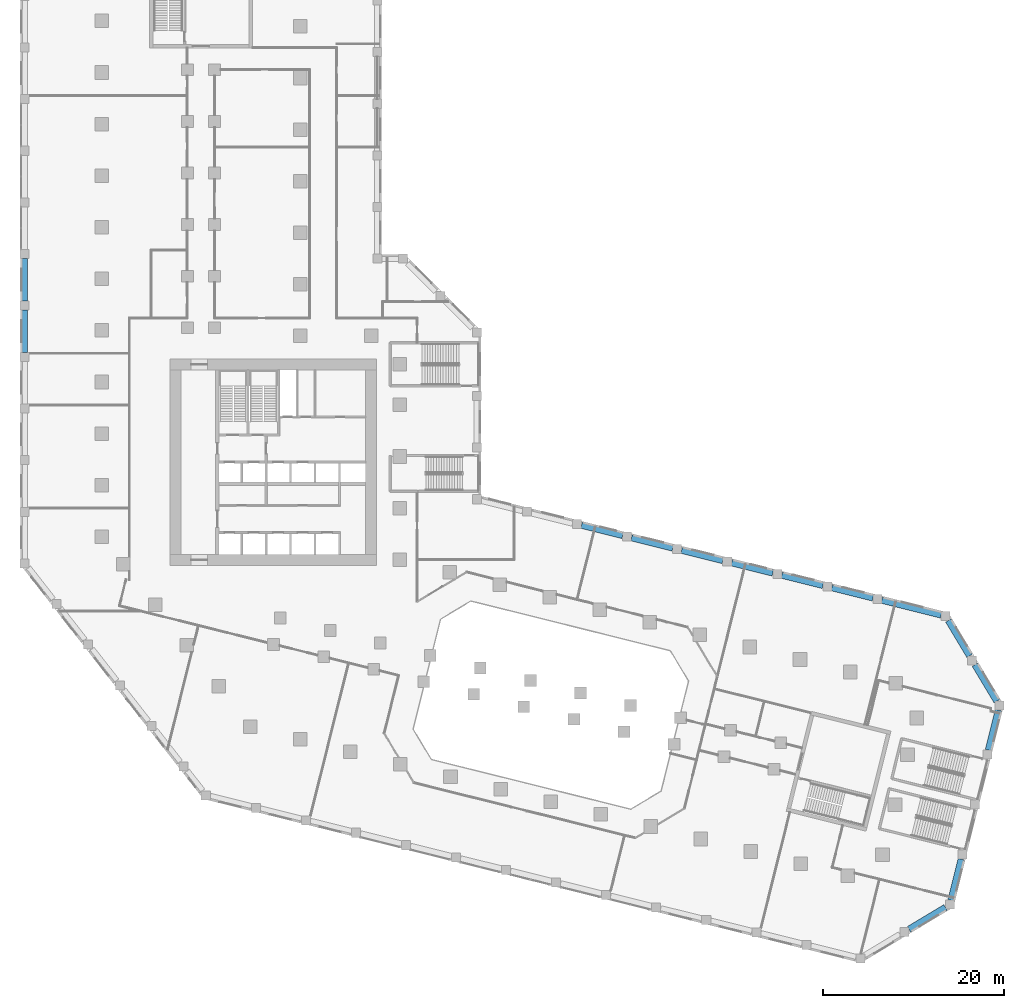
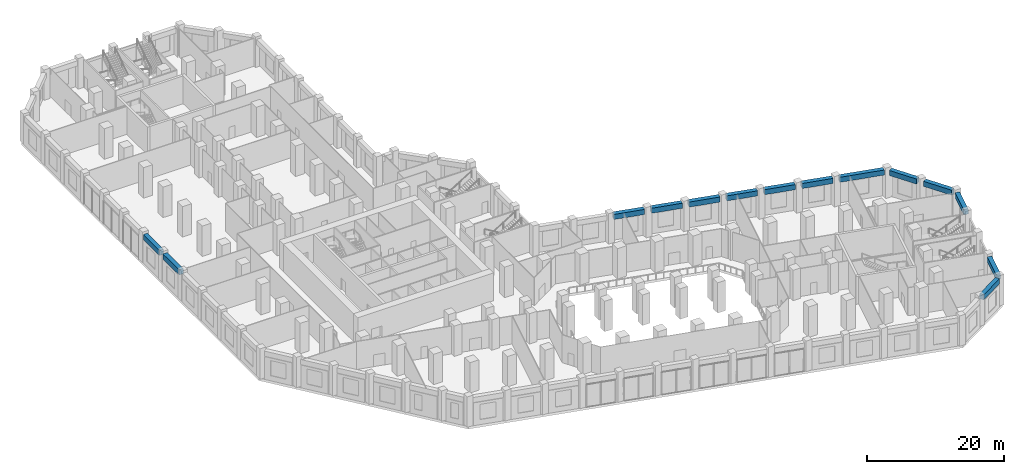
# One storey, part 5 of 23: 14 beams.
"""IFC4 building model written with IfcOpenShell, lengths in metres."""

import ifcopenshell
import ifcopenshell.guid

model = None  # the IFC model being written
_history = None  # IfcOwnerHistory: only IFC2X3 demands one
_inside = {}  # id of a spatial element -> (the spatial element, [elements in it])
_under = {}  # id of a project, library or spatial element -> (it, [spatial elements below it])
_declared = {}  # id of a project -> (the project, [libraries it declares])
_typed = {}  # id of a type object -> (the type object, [elements of that type])
_made_of = {}  # id of a material, layer set ... -> (it, [elements and type objects made of it])


def new_model(schema):
    """Start an empty IFC model of exactly this schema.

    Asked for "IFC4X3", IfcOpenShell would pick the latest addendum, in which some entities
    have other attributes; the version numbers below select the first issue.
    IFC2X3 requires an IfcOwnerHistory on every rooted entity: one is made here for all.
    """
    global model, _history
    if schema == "IFC4X3":
        model = ifcopenshell.file(schema_version=(4, 3, 0, 0))
    else:
        model = ifcopenshell.file(schema=schema)
    _inside.clear()
    _under.clear()
    _declared.clear()
    _typed.clear()
    _made_of.clear()
    _history = None
    if model.schema == "IFC2X3":
        org = make("IfcOrganization", Name="unknown")
        user = make(
            "IfcPersonAndOrganization",
            ThePerson=make("IfcPerson", FamilyName="unknown"),
            TheOrganization=org,
        )
        app = make(
            "IfcApplication",
            ApplicationDeveloper=org,
            Version="unknown",
            ApplicationFullName="unknown",
            ApplicationIdentifier="unknown",
        )
        _history = make(
            "IfcOwnerHistory",
            OwningUser=user,
            OwningApplication=app,
            ChangeAction="ADDED",
            CreationDate=0,
        )
    return model


def make(cls, **values):
    """One entity of the class cls with the attributes given. An attribute that is None is left unset."""
    return model.create_entity(
        cls, **{name: value for name, value in values.items() if value is not None}
    )


def rooted(cls, **values):
    """An entity with a GlobalId (a new one), such as an element, a storey or a relation."""
    return make(cls, GlobalId=ifcopenshell.guid.new(), OwnerHistory=_history, **values)


def si_unit(unit_type, name, prefix=None):
    """IfcSIUnit, for example si_unit("LENGTHUNIT", "METRE", prefix="MILLI")."""
    return make("IfcSIUnit", UnitType=unit_type, Prefix=prefix, Name=name)


def assignment(units):
    """IfcUnitAssignment: the units of a project."""
    return None if units is None else make("IfcUnitAssignment", Units=units)


def point(xyz):
    """IfcCartesianPoint."""
    return None if xyz is None else make("IfcCartesianPoint", Coordinates=xyz)


def direction(xyz):
    """IfcDirection."""
    return None if xyz is None else make("IfcDirection", DirectionRatios=xyz)


def frame(location, z_axis=None, x_axis=None):
    """IfcAxis2Placement3D, a coordinate frame: its origin and axes. An axis left out is left unset."""
    return make(
        "IfcAxis2Placement3D",
        Location=point(location),
        Axis=direction(z_axis),
        RefDirection=direction(x_axis),
    )


def frame_2d(location, x_axis=None):
    """IfcAxis2Placement2D, a coordinate frame in the plane: its origin and x axis."""
    return make(
        "IfcAxis2Placement2D", Location=point(location), RefDirection=direction(x_axis)
    )


def origin():
    """The frame at (0, 0, 0) with its axes left unset."""
    return frame((0.0, 0.0, 0.0))


def origin_2d():
    """The frame at (0, 0) in the plane with its x axis left unset."""
    return frame_2d((0.0, 0.0))


def place(relative_to, where):
    """IfcLocalPlacement: puts the frame where relative to a parent placement (None: the world)."""
    return make(
        "IfcLocalPlacement", PlacementRelTo=relative_to, RelativePlacement=where
    )


def context(
    kind, dimensions, precision=None, world=None, true_north=None, identifier=None
):
    """IfcGeometricRepresentationContext, for example the 3D "Model" context."""
    return make(
        "IfcGeometricRepresentationContext",
        ContextIdentifier=identifier,
        ContextType=kind,
        CoordinateSpaceDimension=dimensions,
        Precision=precision,
        WorldCoordinateSystem=world,
        TrueNorth=true_north,
    )


def subcontext(parent, identifier, kind, view, scale=None):
    """IfcGeometricRepresentationSubContext, for example "Body" below "Model"."""
    return make(
        "IfcGeometricRepresentationSubContext",
        ContextIdentifier=identifier,
        ContextType=kind,
        ParentContext=parent,
        TargetScale=scale,
        TargetView=view,
    )


def project(units=None, contexts=None):
    """IfcProject with its units and contexts."""
    return rooted(
        "IfcProject",
        Name="project",
        RepresentationContexts=contexts,
        UnitsInContext=assignment(units),
    )


def spatial(cls, under=None, at=None, **own):
    """A site, building, storey or space (cls), placed at a placement, below another one or the project."""
    s = rooted(cls, ObjectPlacement=at, **own)
    if under is not None:
        _under.setdefault(under.id(), (under, []))[1].append(s)
    return s


def profile(cls, at=None, kind="AREA", **sizes):
    """A parametric profile (cls). Its sizes go by their IFC names, for example OverallWidth=200.0."""
    return make(cls, ProfileType=kind, Position=at, **sizes)


def rectangle(**sizes):
    """IfcRectangleProfileDef."""
    return profile("IfcRectangleProfileDef", **sizes)


def extrude(swept, where, along, depth):
    """IfcExtrudedAreaSolid: the profile swept, set in the frame where, extruded along a direction by depth."""
    return make(
        "IfcExtrudedAreaSolid",
        SweptArea=swept,
        Position=where,
        ExtrudedDirection=direction(along),
        Depth=depth,
    )


def shape(context_of_items, identifier, shape_type, items):
    """IfcShapeRepresentation: the items that make up one representation, for example the "Body"."""
    return make(
        "IfcShapeRepresentation",
        ContextOfItems=context_of_items,
        RepresentationIdentifier=identifier,
        RepresentationType=shape_type,
        Items=items,
    )


def material(Name=None, Category=None):
    """IfcMaterial."""
    return make("IfcMaterial", Name=Name, Category=Category)


def material_profile(
    of_material, cross_section, Name=None, Category=None, Priority=None
):
    """IfcMaterialProfile: a cross section and its material."""
    return make(
        "IfcMaterialProfile",
        Name=Name,
        Material=of_material,
        Profile=cross_section,
        Priority=Priority,
        Category=Category,
    )


def profile_set(profiles, Name=None, composite=None):
    """IfcMaterialProfileSet."""
    return make(
        "IfcMaterialProfileSet",
        Name=Name,
        MaterialProfiles=profiles,
        CompositeProfile=composite,
    )


def made_of(thing, what):
    """Note that an element or type object is made of a material, layer set ...; save() writes the relation."""
    if what is not None:
        _made_of.setdefault(what.id(), (what, []))[1].append(thing)
    return thing


def type_object(cls, material=None, **own):
    """A type object (cls), such as IfcWallType, which elements share."""
    return made_of(rooted(cls, **own), material)


def element(
    cls,
    number,
    at=None,
    inside=None,
    cuts=None,
    type_object=None,
    material=None,
    context=None,
    identifier="Body",
    shape_type=None,
    held_by="IfcProductDefinitionShape",
    body=None,
    shapes=None,
    **own,
):
    """One element of the class cls, such as IfcWall. Its Tag is "e" and its number.

    at: its placement. inside: the storey or other place that contains it. cuts: it is an
    opening in that element (IfcRelVoidsElement). A single representation is given by context,
    identifier, shape_type and body (its items); several are given by shapes. held_by: the class
    of the entity that holds the representations. save() writes the other relations.
    """
    e = rooted(cls, Tag="e%d" % number, ObjectPlacement=at, **own)
    if body is not None:
        shapes = [shape(context, identifier, shape_type, body)]
    if shapes is not None:
        e.Representation = make(held_by, Representations=shapes)
    if inside is not None:
        _inside.setdefault(inside.id(), (inside, []))[1].append(e)
    if cuts is not None:
        rooted(
            "IfcRelVoidsElement", RelatingBuildingElement=cuts, RelatedOpeningElement=e
        )
    if type_object is not None:
        _typed.setdefault(type_object.id(), (type_object, []))[1].append(e)
    return made_of(e, material)


def aggregate(whole, parts):
    """IfcRelAggregates: a whole, such as a stair, and the parts it consists of."""
    return rooted("IfcRelAggregates", RelatingObject=whole, RelatedObjects=parts)


def save(model, path):
    """Write the relations noted so far, then the file.

    IfcRelAggregates (storeys below a building ...), IfcRelContainedInSpatialStructure (elements
    in a storey), IfcRelDefinesByType, IfcRelAssociatesMaterial and IfcRelDeclares: one each for
    every whole, place, type object, material and project.
    """
    for whole, parts in _under.values():
        aggregate(whole, parts)
    for where, things in _inside.values():
        rooted(
            "IfcRelContainedInSpatialStructure",
            RelatedElements=things,
            RelatingStructure=where,
        )
    for kind, things in _typed.values():
        rooted("IfcRelDefinesByType", RelatedObjects=things, RelatingType=kind)
    for what, things in _made_of.values():
        rooted("IfcRelAssociatesMaterial", RelatedObjects=things, RelatingMaterial=what)
    for by, libraries in _declared.values():
        rooted("IfcRelDeclares", RelatingContext=by, RelatedDefinitions=libraries)
    model.write(path)


model = new_model("IFC4")

# Units and contexts
model_context = context("Model", 3, precision=1e-05, world=origin(), true_north=direction((0.0, 1.0)))
body_context = subcontext(model_context, "Body", "Model", "MODEL_VIEW")
ifc_project = project(units=[si_unit("LENGTHUNIT", "METRE"), si_unit("AREAUNIT", "SQUARE_METRE"), si_unit("VOLUMEUNIT", "CUBIC_METRE"), si_unit("PLANEANGLEUNIT", "RADIAN"), si_unit("MASSUNIT", "GRAM", prefix="KILO")], contexts=[model_context])

# Site, building, storey
site_placement = place(None, origin())
site = spatial("IfcSite", under=ifc_project, at=site_placement, CompositionType="ELEMENT")
building_placement = place(site_placement, origin())
building = spatial("IfcBuilding", under=site, at=building_placement, Name="Meshkara Civic Tower", CompositionType="ELEMENT")
storey_placement = place(building_placement, frame((0.0, 0.0, 7.199951171875)))
storey = spatial("IfcBuildingStorey", under=building, at=storey_placement, Name="L01", CompositionType="ELEMENT", Elevation=7.199951171875)

# Beams
ifc_material = material(Name="Concrete C60", Category="concrete")
ifc_material_profile = material_profile(ifc_material, rectangle(XDim=0.699951171875, YDim=0.89990234375, at=origin_2d()))
ifc_profile_set = profile_set([ifc_material_profile], Name="Concrete C60")
beam_type = type_object("IfcBeamType", Name="Spandrel beam RC 700x900 C60", PredefinedType="BEAM", material=ifc_profile_set)
beam_1_placement = place(storey_placement, frame((-8.10009765625, 48.01611328125, 4.5), z_axis=(0.0, -1.0, 0.0), x_axis=(1.0, 0.0, 0.0)))
element("IfcBeam", 1, at=beam_1_placement, inside=storey, type_object=beam_type, Name="Spandrel beam PD02-05-PD02-06", PredefinedType="BEAM", context=body_context, shape_type="SweptSolid", body=[
    extrude(rectangle(XDim=0.699951171875, YDim=0.89990234375, at=origin_2d()), origin(), (0.0, 0.0, 1.0), 4.710205078125),
])
beam_2_placement = place(storey_placement, frame((-8.10009765625, 42.31591796875, 4.5), z_axis=(0.0, -1.0, 0.0), x_axis=(1.0, 0.0, 0.0)))
element("IfcBeam", 2, at=beam_2_placement, inside=storey, type_object=beam_type, Name="Spandrel beam PD02-04-PD02-05", PredefinedType="BEAM", context=body_context, shape_type="SweptSolid", body=[
    extrude(rectangle(XDim=0.699951171875, YDim=0.89990234375, at=origin_2d()), origin(), (0.0, 0.0, 1.0), 4.7099609375),
])
beam_3_placement = place(storey_placement, frame((89.6376953125, -26.12109375, 4.5), z_axis=(0.857157399661, 0.515054552651, 0.0), x_axis=(-0.515054552651, 0.857157399661, 0.0)))
element("IfcBeam", 3, at=beam_3_placement, inside=storey, type_object=beam_type, Name="Spandrel beam PD05-01-PD05-E", PredefinedType="BEAM", context=body_context, shape_type="SweptSolid", body=[
    extrude(rectangle(XDim=0.699951171875, YDim=0.89990234375, at=origin_2d()), origin(), (0.0, 0.0, 1.0), 4.689453125),
])
beam_4_placement = place(storey_placement, frame((94.276611328125, -22.912841796875, 4.5), z_axis=(0.24186042428, 0.970311050729, 0.0), x_axis=(-0.970311050729, 0.24186042428, 0.0)))
element("IfcBeam", 4, at=beam_4_placement, inside=storey, type_object=beam_type, Name="Spandrel beam PD05-E-PD06-01", PredefinedType="BEAM", context=body_context, shape_type="SweptSolid", body=[
    extrude(rectangle(XDim=0.699951171875, YDim=0.89990234375, at=origin_2d()), origin(), (0.0, 0.0, 1.0), 4.6796875),
])
beam_5_placement = place(storey_placement, frame((98.41357421875, -6.32080078125, 4.5), z_axis=(0.241942189564, 0.970290666197, 0.0), x_axis=(-0.970290666197, 0.241942189564, 0.0)))
element("IfcBeam", 5, at=beam_5_placement, inside=storey, type_object=beam_type, Name="Spandrel beam PD06-03-PD06-E", PredefinedType="BEAM", context=body_context, shape_type="SweptSolid", body=[
    extrude(rectangle(XDim=0.699951171875, YDim=0.89990234375, at=origin_2d()), origin(), (0.0, 0.0, 1.0), 4.550048828125),
])
beam_6_placement = place(storey_placement, frame((99.340087890625, -0.915283203125, 4.5), z_axis=(-0.515169292752, 0.857088443398, 0.0), x_axis=(-0.857088443398, -0.515169292752, 0.0)))
element("IfcBeam", 6, at=beam_6_placement, inside=storey, type_object=beam_type, Name="Spandrel beam PD06-E-PD07-01", PredefinedType="BEAM", context=body_context, shape_type="SweptSolid", body=[
    extrude(rectangle(XDim=0.699951171875, YDim=0.89990234375, at=origin_2d()), origin(), (0.0, 0.0, 1.0), 4.689697265625),
])
beam_7_placement = place(storey_placement, frame((96.328125, 4.095703125, 4.5), z_axis=(-0.515175277931, 0.857084845863, 0.0), x_axis=(-0.857084845863, -0.515175277931, 0.0)))
element("IfcBeam", 7, at=beam_7_placement, inside=storey, type_object=beam_type, Name="Spandrel beam PD07-00-PD07-01", PredefinedType="BEAM", context=body_context, shape_type="SweptSolid", body=[
    extrude(rectangle(XDim=0.699951171875, YDim=0.89990234375, at=origin_2d()), origin(), (0.0, 0.0, 1.0), 4.542724609375),
])
beam_8_placement = place(storey_placement, frame((93.19482421875, 8.6083984375, 4.5), z_axis=(-0.97029537184, 0.24192331716, 0.0), x_axis=(-0.24192331716, -0.97029537184, 0.0)))
element("IfcBeam", 8, at=beam_8_placement, inside=storey, type_object=beam_type, Name="Spandrel beam PD07-00-PD08-08", PredefinedType="BEAM", context=body_context, shape_type="SweptSolid", body=[
    extrude(rectangle(XDim=0.699951171875, YDim=0.89990234375, at=origin_2d()), origin(), (0.0, 0.0, 1.0), 6.75537109375),
])
beam_9_placement = place(storey_placement, frame((85.64990234375, 10.489501953125, 4.5), z_axis=(-0.970286590806, 0.241958533023, 0.0), x_axis=(-0.241958533023, -0.970286590806, 0.0)))
element("IfcBeam", 9, at=beam_9_placement, inside=storey, type_object=beam_type, Name="Spandrel beam PD08-07-PD08-08", PredefinedType="BEAM", context=body_context, shape_type="SweptSolid", body=[
    extrude(rectangle(XDim=0.699951171875, YDim=0.89990234375, at=origin_2d()), origin(), (0.0, 0.0, 1.0), 4.6787109375),
])
beam_10_placement = place(storey_placement, frame((80.119873046875, 11.868408203125, 4.5), z_axis=(-0.970298806378, 0.241909541651, 0.0), x_axis=(-0.241909541651, -0.970298806378, 0.0)))
element("IfcBeam", 10, at=beam_10_placement, inside=storey, type_object=beam_type, Name="Spandrel beam PD08-06-PD08-07", PredefinedType="BEAM", context=body_context, shape_type="SweptSolid", body=[
    extrude(rectangle(XDim=0.699951171875, YDim=0.89990234375, at=origin_2d()), origin(), (0.0, 0.0, 1.0), 4.6796875),
])
beam_11_placement = place(storey_placement, frame((74.5888671875, 13.24755859375, 4.5), z_axis=(-0.970249807203, 0.242105992539, 0.0), x_axis=(-0.242105992539, -0.970249807203, 0.0)))
element("IfcBeam", 11, at=beam_11_placement, inside=storey, type_object=beam_type, Name="Spandrel beam PD08-05-PD08-06", PredefinedType="BEAM", context=body_context, shape_type="SweptSolid", body=[
    extrude(rectangle(XDim=0.699951171875, YDim=0.89990234375, at=origin_2d()), origin(), (0.0, 0.0, 1.0), 4.679931640625),
])
beam_12_placement = place(storey_placement, frame((69.057861328125, 14.62744140625, 4.5), z_axis=(-0.970286590806, 0.241958533023, 0.0), x_axis=(-0.241958533023, -0.970286590806, 0.0)))
element("IfcBeam", 12, at=beam_12_placement, inside=storey, type_object=beam_type, Name="Spandrel beam PD08-04-PD08-05", PredefinedType="BEAM", context=body_context, shape_type="SweptSolid", body=[
    extrude(rectangle(XDim=0.699951171875, YDim=0.89990234375, at=origin_2d()), origin(), (0.0, 0.0, 1.0), 4.6787109375),
])
for number, where, z_axis, x_axis, name in (
    (13, (63.52783203125, 16.006591796875, 4.5), (-0.970311050729, 0.24186042428, 0.0), (-0.24186042428, -0.970311050729, 0.0), "Spandrel beam PD08-03-PD08-04"),
    (14, (57.996826171875, 17.385498046875, 4.5), (-0.970298806378, 0.241909541651, 0.0), (-0.241909541651, -0.970298806378, 0.0), "Spandrel beam PD08-02-PD08-03"),
):
    element("IfcBeam", number, at=place(storey_placement, frame(where, z_axis=z_axis, x_axis=x_axis)), inside=storey, type_object=beam_type, Name=name, PredefinedType="BEAM", context=body_context, shape_type="SweptSolid", body=[
        extrude(rectangle(XDim=0.699951171875, YDim=0.89990234375, at=origin_2d()), origin(), (0.0, 0.0, 1.0), 4.6796875),
    ])

save(model, "model.ifc")
